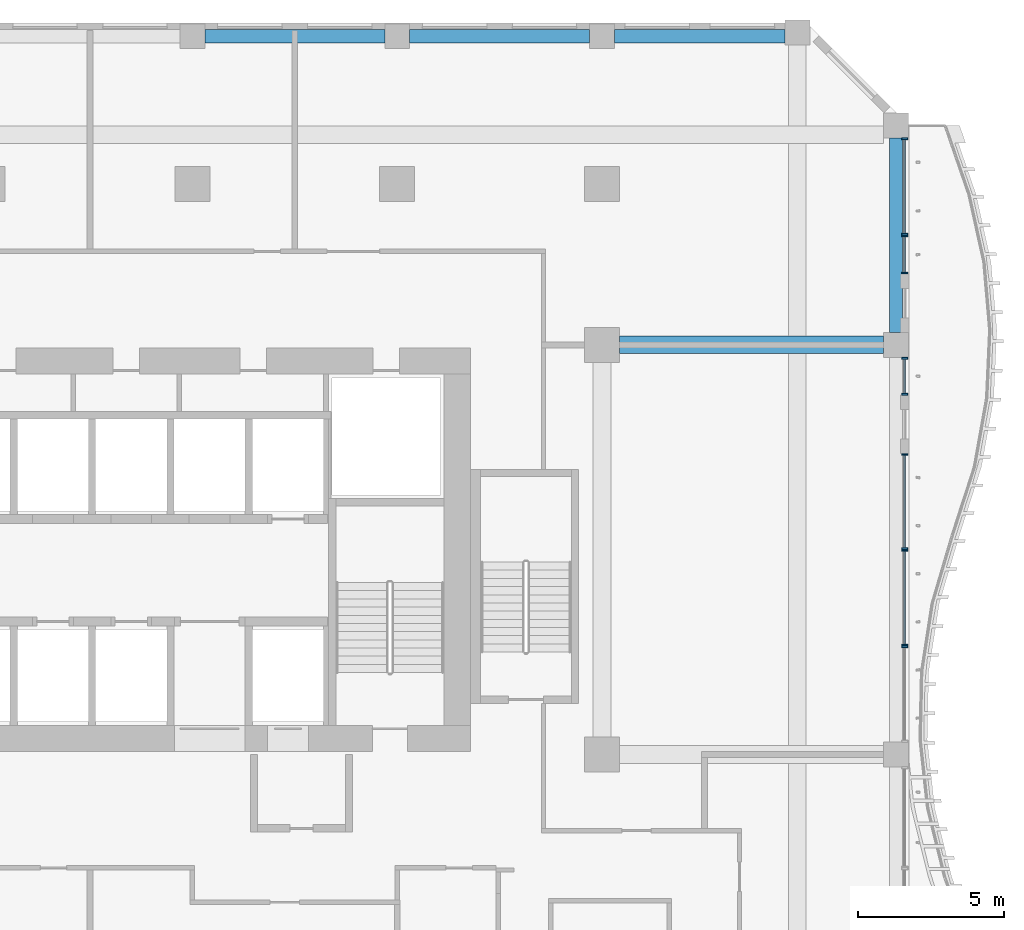
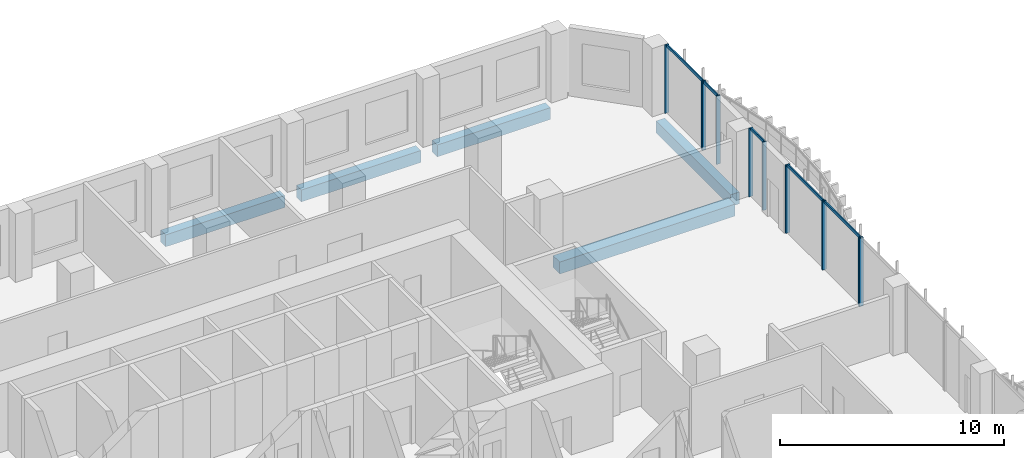
# One storey, part 8 of 25: 16 members, 5 beams, 6 elements without a shape of their own.
"""IFC4 building model written with IfcOpenShell, lengths in metres."""

from ifc_helpers import new_model, si_unit, direction, frame, origin, origin_2d, place, context, subcontext, project, spatial, rectangle, extrude, source, transform, mapped, material, material_profile, profile_set, type_object, element, aggregate, save


model = new_model("IFC4")

# Units and contexts
model_context = context("Model", 3, precision=1e-05, world=origin(), true_north=direction((0.0, 1.0)))
body_context = subcontext(model_context, "Body", "Model", "MODEL_VIEW")
ifc_project = project(units=[si_unit("LENGTHUNIT", "METRE"), si_unit("AREAUNIT", "SQUARE_METRE"), si_unit("VOLUMEUNIT", "CUBIC_METRE"), si_unit("PLANEANGLEUNIT", "RADIAN"), si_unit("MASSUNIT", "GRAM", prefix="KILO")], contexts=[model_context])

# Site, building, storey
site_placement = place(None, origin())
site = spatial("IfcSite", under=ifc_project, at=site_placement, CompositionType="ELEMENT")
building_placement = place(site_placement, origin())
building = spatial("IfcBuilding", under=site, at=building_placement, Name="Kilnfold Tower and Market Hall", CompositionType="ELEMENT")
storey_placement = place(building_placement, frame((0.0, 0.0, 120.60009765625)))
storey = spatial("IfcBuildingStorey", under=building, at=storey_placement, Name="L28", CompositionType="ELEMENT", Elevation=120.60009765625)

# Beams
ifc_material_1 = material(Name="Concrete C45", Category="concrete")
ifc_material_profile_1 = material_profile(ifc_material_1, rectangle(XDim=0.449951171875, YDim=0.64990234375, at=origin_2d()), Name="RC 450x650")
ifc_profile_set_1 = profile_set([ifc_material_profile_1], Name="Concrete C45")
beam_type_1 = type_object("IfcBeamType", Name="EDGE BEAM 450X650 C45", PredefinedType="BEAM", material=ifc_profile_set_1)
shared_shape_1 = source(origin(), body_context, "Body", "SweptSolid", [
    extrude(rectangle(XDim=0.449951171875, YDim=0.64990234375, at=origin_2d()), origin(), (0.0, 0.0, 1.0), 6.14990234375),
])
for number, where, z_axis, x_axis, name in (
    (1, (8.925048828125, 32.550048828125, -0.60498046875), (1.0, 0.0, 0.0), (0.0, 1.0, 0.0), "Beam EB650-B3.71"),
    (2, (15.925048828125, 32.550048828125, -0.60498046875), (1.0, 0.0, 0.0), (0.0, 1.0, 0.0), "Beam EB650-B3.72"),
):
    element("IfcBeam", number, at=place(storey_placement, frame(where, z_axis=z_axis, x_axis=x_axis)), inside=storey, type_object=beam_type_1, Name=name, PredefinedType="BEAM", context=body_context, shape_type="MappedRepresentation", body=[
        mapped(shared_shape_1, transform((0.0, 0.0, 0.0))),
    ])
ifc_material_2 = material(Name="Concrete C45", Category="concrete")
ifc_material_profile_2 = material_profile(ifc_material_2, rectangle(XDim=0.60009765625, YDim=0.64990234375, at=origin_2d()), Name="RC 600x650")
ifc_profile_set_2 = profile_set([ifc_material_profile_2], Name="Concrete C45")
beam_type_2 = type_object("IfcBeamType", Name="BEAM 600X650 C45", PredefinedType="BEAM", material=ifc_profile_set_2)
shared_shape_2 = source(origin(), body_context, "Body", "SweptSolid", [
    extrude(rectangle(XDim=0.60009765625, YDim=0.64990234375, at=origin_2d()), origin(), (0.0, 0.0, 1.0), 9.02490234375),
])
beam_1_placement = place(storey_placement, frame((23.10009765625, 22.0, -0.60498046875), z_axis=(1.0, 0.0, 0.0), x_axis=(0.0, 1.0, 0.0)))
element("IfcBeam", 3, at=beam_1_placement, inside=storey, type_object=beam_type_2, Name="Beam BB650-B3.65", PredefinedType="BEAM", context=body_context, shape_type="MappedRepresentation", body=[
    mapped(shared_shape_2, transform((0.0, 0.0, 0.0))),
])
shared_shape_3 = source(origin(), body_context, "Body", "SweptSolid", [
    extrude(rectangle(XDim=0.449951171875, YDim=0.64990234375, at=origin_2d()), origin(), (0.0, 0.0, 1.0), 5.831787109375),
])
beam_2_placement = place(storey_placement, frame((22.925048828125, 32.550048828125, -0.60498046875), z_axis=(1.0, 0.0, 0.0), x_axis=(0.0, 1.0, 0.0)))
element("IfcBeam", 4, at=beam_2_placement, inside=storey, type_object=beam_type_1, Name="Beam EB650-B3.73", PredefinedType="BEAM", context=body_context, shape_type="MappedRepresentation", body=[
    mapped(shared_shape_3, transform((0.0, 0.0, 0.0))),
])
shared_shape_4 = source(origin(), body_context, "Body", "SweptSolid", [
    extrude(rectangle(XDim=0.449951171875, YDim=0.64990234375, at=origin_2d()), origin(), (0.0, 0.0, 1.0), 6.64990234375),
])
beam_3_placement = place(storey_placement, frame((32.550048828125, 22.425048828125, -0.60498046875), z_axis=(0.0, 1.0, 0.0), x_axis=(-1.0, 0.0, 0.0)))
element("IfcBeam", 5, at=beam_3_placement, inside=storey, type_object=beam_type_1, Name="Beam EB650-B3.87", PredefinedType="BEAM", context=body_context, shape_type="MappedRepresentation", body=[
    mapped(shared_shape_4, transform((0.0, 0.0, 0.0))),
])

# Curtain wall, member
ifc_material_3 = material(Name="Aluminium and double glazing", Category="aluminium")
curtain_wall_type = type_object("IfcCurtainWallType", Name="CW OF2 VALLEY GLAZING", PredefinedType="NOTDEFINED", material=ifc_material_3)
curtain_wall_1_placement = place(storey_placement, origin())
curtain_wall_1 = element("IfcCurtainWall", 6, at=curtain_wall_1_placement, inside=storey, type_object=curtain_wall_type, Name="Curtain wall CW2 L28 E", PredefinedType="NOTDEFINED")
ifc_material_4 = material(Name="Aluminium", Category="aluminium")
ifc_material_profile_3 = material_profile(ifc_material_4, rectangle(XDim=0.06005859375, YDim=0.199951171875, at=origin_2d()), Name="MULLION 60x200")
ifc_profile_set_3 = profile_set([ifc_material_profile_3], Name="Aluminium")
member_type_1 = type_object("IfcMemberType", Name="MULLION 60X200", PredefinedType="MULLION", material=ifc_profile_set_3)
shared_shape_5 = source(origin(), body_context, "Body", "SweptSolid", [
    extrude(rectangle(XDim=0.06005859375, YDim=0.199951171875, at=origin_2d()), origin(), (0.0, 0.0, 1.0), 3.719970703125),
])
member_1_placement = place(storey_placement, frame((32.85009765625, 11.6826171875, 0.0), z_axis=(0.0, 0.0, 1.0), x_axis=(0.0, 1.0, 0.0)))
member_1 = element("IfcMember", 7, at=member_1_placement, type_object=member_type_1, Name="CW2 mullion 2", PredefinedType="MULLION", context=body_context, shape_type="MappedRepresentation", body=[
    mapped(shared_shape_5, transform((0.0, 0.0, 0.0))),
])
aggregate(curtain_wall_1, [member_1])

# Curtain wall, members
curtain_wall_2_placement = place(storey_placement, origin())
curtain_wall_2 = element("IfcCurtainWall", 8, at=curtain_wall_2_placement, inside=storey, type_object=curtain_wall_type, Name="Curtain wall CW2 L28 E", PredefinedType="NOTDEFINED")
member_2_placement = place(storey_placement, frame((32.85009765625, 11.742431640625, 0.0), z_axis=(0.0, 0.0, 1.0), x_axis=(0.0, 1.0, 0.0)))
member_2 = element("IfcMember", 9, at=member_2_placement, type_object=member_type_1, Name="CW2 mullion 1", PredefinedType="MULLION", context=body_context, shape_type="MappedRepresentation", body=[
    mapped(shared_shape_5, transform((0.0, 0.0, 0.0))),
])
member_3_placement = place(storey_placement, frame((32.85009765625, 14.969970703125, 0.0), z_axis=(0.0, 0.0, 1.0), x_axis=(0.0, 1.0, 0.0)))
member_3 = element("IfcMember", 10, at=member_3_placement, type_object=member_type_1, Name="CW2 mullion 2", PredefinedType="MULLION", context=body_context, shape_type="MappedRepresentation", body=[
    mapped(shared_shape_5, transform((0.0, 0.0, 0.0))),
])

curtain_wall_3_placement = place(storey_placement, origin())
curtain_wall_3 = element("IfcCurtainWall", 11, at=curtain_wall_3_placement, inside=storey, type_object=curtain_wall_type, Name="Curtain wall CW2 L28 E", PredefinedType="NOTDEFINED")
member_4_placement = place(storey_placement, frame((32.85009765625, 15.030029296875, 0.0), z_axis=(0.0, 0.0, 1.0), x_axis=(0.0, 1.0, 0.0)))
member_4 = element("IfcMember", 12, at=member_4_placement, type_object=member_type_1, Name="CW2 mullion 1", PredefinedType="MULLION", context=body_context, shape_type="MappedRepresentation", body=[
    mapped(shared_shape_5, transform((0.0, 0.0, 0.0))),
])
member_5_placement = place(storey_placement, frame((32.85009765625, 18.257568359375, 0.0), z_axis=(0.0, 0.0, 1.0), x_axis=(0.0, 1.0, 0.0)))
member_5 = element("IfcMember", 13, at=member_5_placement, type_object=member_type_1, Name="CW2 mullion 2", PredefinedType="MULLION", context=body_context, shape_type="MappedRepresentation", body=[
    mapped(shared_shape_5, transform((0.0, 0.0, 0.0))),
])

curtain_wall_4_placement = place(storey_placement, origin())
curtain_wall_4 = element("IfcCurtainWall", 14, at=curtain_wall_4_placement, inside=storey, type_object=curtain_wall_type, Name="Curtain wall CW2 L28 E", PredefinedType="NOTDEFINED")
member_6_placement = place(storey_placement, frame((32.85009765625, 20.3173828125, 0.0), z_axis=(0.0, 0.0, 1.0), x_axis=(0.0, 1.0, 0.0)))
member_6 = element("IfcMember", 15, at=member_6_placement, type_object=member_type_1, Name="CW2 mullion 1", PredefinedType="MULLION", context=body_context, shape_type="MappedRepresentation", body=[
    mapped(shared_shape_5, transform((0.0, 0.0, 0.0))),
])
member_7_placement = place(storey_placement, frame((32.85009765625, 21.544921875, 0.0), z_axis=(0.0, 0.0, 1.0), x_axis=(0.0, 1.0, 0.0)))
member_7 = element("IfcMember", 16, at=member_7_placement, type_object=member_type_1, Name="CW2 mullion 2", PredefinedType="MULLION", context=body_context, shape_type="MappedRepresentation", body=[
    mapped(shared_shape_5, transform((0.0, 0.0, 0.0))),
])

curtain_wall_5_placement = place(storey_placement, origin())
curtain_wall_5 = element("IfcCurtainWall", 17, at=curtain_wall_5_placement, inside=storey, type_object=curtain_wall_type, Name="Curtain wall CW2 L28 E", PredefinedType="NOTDEFINED")
member_8_placement = place(storey_placement, frame((32.85009765625, 24.455078125, 0.0), z_axis=(0.0, 0.0, 1.0), x_axis=(0.0, 1.0, 0.0)))
member_8 = element("IfcMember", 18, at=member_8_placement, type_object=member_type_1, Name="CW2 mullion 1", PredefinedType="MULLION", context=body_context, shape_type="MappedRepresentation", body=[
    mapped(shared_shape_5, transform((0.0, 0.0, 0.0))),
])
member_9_placement = place(storey_placement, frame((32.85009765625, 25.719970703125, 0.0), z_axis=(0.0, 0.0, 1.0), x_axis=(0.0, 1.0, 0.0)))
member_9 = element("IfcMember", 19, at=member_9_placement, type_object=member_type_1, Name="CW2 mullion 2", PredefinedType="MULLION", context=body_context, shape_type="MappedRepresentation", body=[
    mapped(shared_shape_5, transform((0.0, 0.0, 0.0))),
])

curtain_wall_6_placement = place(storey_placement, origin())
curtain_wall_6 = element("IfcCurtainWall", 20, at=curtain_wall_6_placement, inside=storey, type_object=curtain_wall_type, Name="Curtain wall CW2 L28 E", PredefinedType="NOTDEFINED")
member_10_placement = place(storey_placement, frame((32.85009765625, 25.780029296875, 0.0), z_axis=(0.0, 0.0, 1.0), x_axis=(0.0, 1.0, 0.0)))
member_10 = element("IfcMember", 21, at=member_10_placement, type_object=member_type_1, Name="CW2 mullion 1", PredefinedType="MULLION", context=body_context, shape_type="MappedRepresentation", body=[
    mapped(shared_shape_5, transform((0.0, 0.0, 0.0))),
])
member_11_placement = place(storey_placement, frame((32.85009765625, 29.044921875, 0.0), z_axis=(0.0, 0.0, 1.0), x_axis=(0.0, 1.0, 0.0)))
member_11 = element("IfcMember", 22, at=member_11_placement, type_object=member_type_1, Name="CW2 mullion 2", PredefinedType="MULLION", context=body_context, shape_type="MappedRepresentation", body=[
    mapped(shared_shape_5, transform((0.0, 0.0, 0.0))),
])

# Member
ifc_material_5 = material(Name="Aluminium", Category="aluminium")
ifc_material_profile_4 = material_profile(ifc_material_5, rectangle(XDim=0.06005859375, YDim=0.159912109375, at=origin_2d()), Name="TRANSOM 60x160")
ifc_profile_set_4 = profile_set([ifc_material_profile_4], Name="Aluminium")
member_type_2 = type_object("IfcMemberType", Name="TRANSOM 60X160", PredefinedType="USERDEFINED", material=ifc_profile_set_4)
shared_shape_6 = source(origin(), body_context, "Body", "SweptSolid", [
    extrude(rectangle(XDim=0.06005859375, YDim=0.159912109375, at=origin_2d()), origin(), (0.0, 0.0, 1.0), 3.16748046875),
])
member_12_placement = place(storey_placement, frame((32.85009765625, 11.7724609375, 3.68994140625), z_axis=(0.0, 1.0, 0.0), x_axis=(-1.0, 0.0, 0.0)))
member_12 = element("IfcMember", 23, at=member_12_placement, type_object=member_type_2, Name="CW2 transom 1.2", ObjectType="TRANSOM", PredefinedType="USERDEFINED", context=body_context, shape_type="MappedRepresentation", body=[
    mapped(shared_shape_6, transform((0.0, 0.0, 0.0))),
])

aggregate(curtain_wall_2, [member_2, member_3, member_12])

member_13_placement = place(storey_placement, frame((32.85009765625, 15.06005859375, 3.68994140625), z_axis=(0.0, 1.0, 0.0), x_axis=(-1.0, 0.0, 0.0)))
member_13 = element("IfcMember", 24, at=member_13_placement, type_object=member_type_2, Name="CW2 transom 1.2", ObjectType="TRANSOM", PredefinedType="USERDEFINED", context=body_context, shape_type="MappedRepresentation", body=[
    mapped(shared_shape_6, transform((0.0, 0.0, 0.0))),
])

aggregate(curtain_wall_3, [member_4, member_5, member_13])

shared_shape_7 = source(origin(), body_context, "Body", "SweptSolid", [
    extrude(rectangle(XDim=0.06005859375, YDim=0.159912109375, at=origin_2d()), origin(), (0.0, 0.0, 1.0), 3.204833984375),
])
member_14_placement = place(storey_placement, frame((32.85009765625, 25.81005859375, 3.68994140625), z_axis=(0.0, 1.0, 0.0), x_axis=(-1.0, 0.0, 0.0)))
member_14 = element("IfcMember", 25, at=member_14_placement, type_object=member_type_2, Name="CW2 transom 1.2", ObjectType="TRANSOM", PredefinedType="USERDEFINED", context=body_context, shape_type="MappedRepresentation", body=[
    mapped(shared_shape_7, transform((0.0, 0.0, 0.0))),
])

aggregate(curtain_wall_6, [member_10, member_11, member_14])

shared_shape_8 = source(origin(), body_context, "Body", "SweptSolid", [
    extrude(rectangle(XDim=0.06005859375, YDim=0.159912109375, at=origin_2d()), origin(), (0.0, 0.0, 1.0), 1.16748046875),
])
member_15_placement = place(storey_placement, frame((32.85009765625, 20.347412109375, 3.68994140625), z_axis=(0.0, 1.0, 0.0), x_axis=(-1.0, 0.0, 0.0)))
member_15 = element("IfcMember", 26, at=member_15_placement, type_object=member_type_2, Name="CW2 transom 1.2", ObjectType="TRANSOM", PredefinedType="USERDEFINED", context=body_context, shape_type="MappedRepresentation", body=[
    mapped(shared_shape_8, transform((0.0, 0.0, 0.0))),
])

aggregate(curtain_wall_4, [member_6, member_7, member_15])

shared_shape_9 = source(origin(), body_context, "Body", "SweptSolid", [
    extrude(rectangle(XDim=0.06005859375, YDim=0.159912109375, at=origin_2d()), origin(), (0.0, 0.0, 1.0), 1.204833984375),
])
member_16_placement = place(storey_placement, frame((32.85009765625, 24.485107421875, 3.68994140625), z_axis=(0.0, 1.0, 0.0), x_axis=(-1.0, 0.0, 0.0)))
member_16 = element("IfcMember", 27, at=member_16_placement, type_object=member_type_2, Name="CW2 transom 1.2", ObjectType="TRANSOM", PredefinedType="USERDEFINED", context=body_context, shape_type="MappedRepresentation", body=[
    mapped(shared_shape_9, transform((0.0, 0.0, 0.0))),
])

aggregate(curtain_wall_5, [member_8, member_9, member_16])

save(model, "model.ifc")
